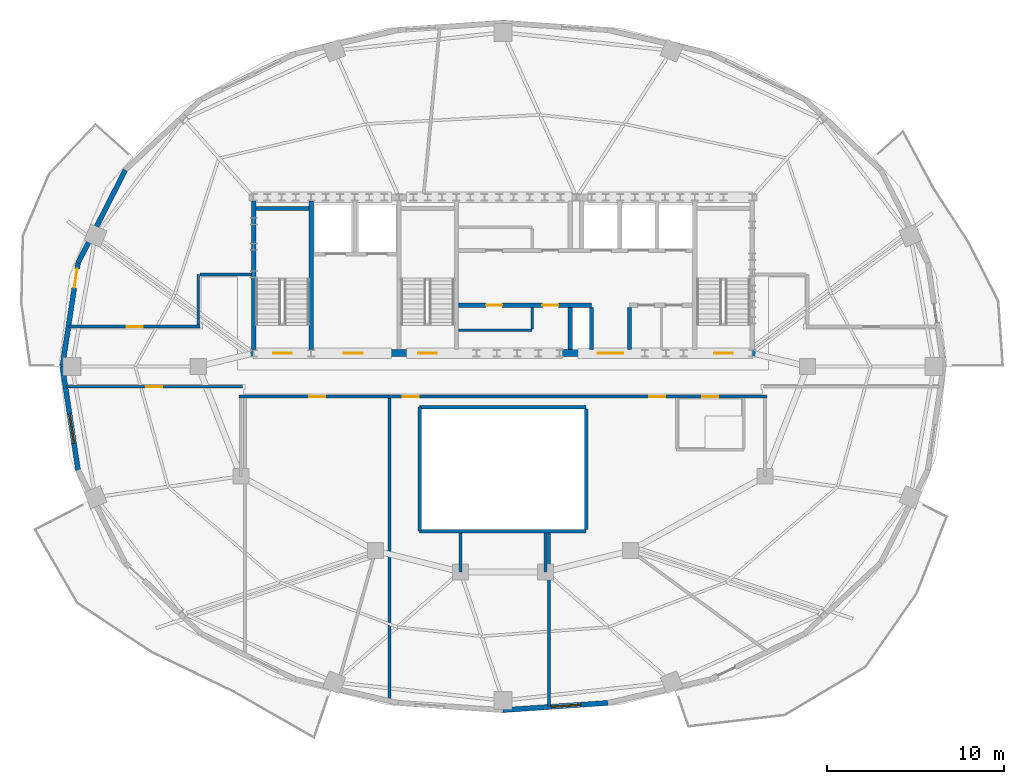
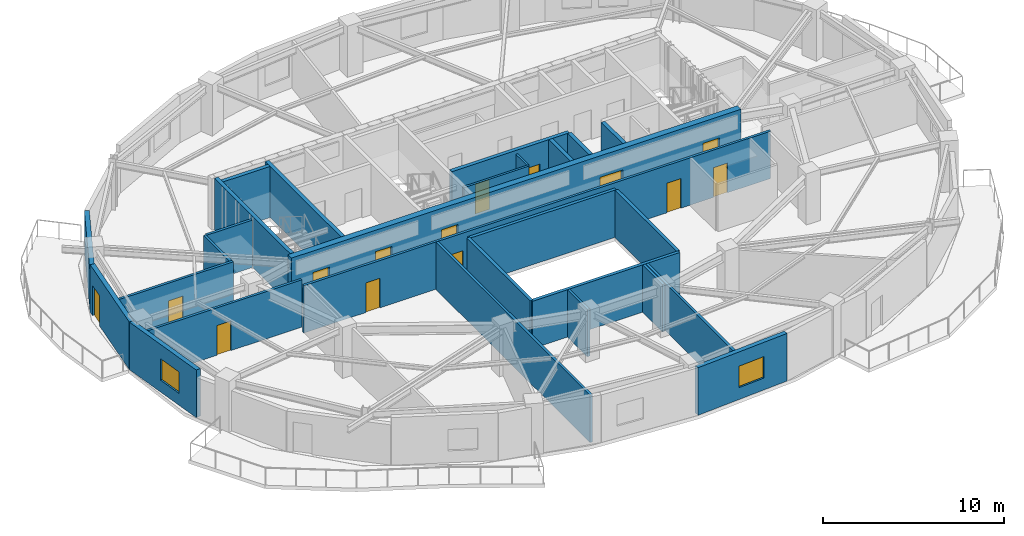
# One storey, part 4 of 10: 27 walls, 14 doors, 2 windows, 16 openings.
"""IFC4 building model written with IfcOpenShell, lengths in metres."""

from ifc_helpers import new_model, si_unit, direction, frame, frame_2d, origin, place, context, subcontext, project, spatial, rectangle, extrude, material, layer, layer_set, type_object, element, fill, save


model = new_model("IFC4")

# Units and contexts
model_context = context("Model", 3, precision=1e-05, world=origin(), true_north=direction((0.0, 1.0)))
body_context = subcontext(model_context, "Body", "Model", "MODEL_VIEW")
ifc_project = project(units=[si_unit("LENGTHUNIT", "METRE"), si_unit("AREAUNIT", "SQUARE_METRE"), si_unit("VOLUMEUNIT", "CUBIC_METRE"), si_unit("PLANEANGLEUNIT", "RADIAN"), si_unit("MASSUNIT", "GRAM", prefix="KILO")], contexts=[model_context])

# Site, building, storey
site_placement = place(None, origin())
site = spatial("IfcSite", under=ifc_project, at=site_placement, CompositionType="ELEMENT")
building_placement = place(site_placement, origin())
building = spatial("IfcBuilding", under=site, at=building_placement, Name="Haldorwick Loom Tower", CompositionType="ELEMENT")
storey_placement = place(building_placement, frame((0.0, 0.0, 262.64990234375)))
storey = spatial("IfcBuildingStorey", under=building, at=storey_placement, Name="L71", CompositionType="ELEMENT", Elevation=262.64990234375)

# Wall
ifc_material_1 = material(Name="Pressed Clay Face Brick and Insulated Masonry Backup Assembly", Category="masonry")
ifc_layer_1 = layer(ifc_material_1, 0.280029296875, Name="Pressed Clay Face Brick and Insulated Masonry Backup Assembly", Category="masonry")
ifc_layer_set_1 = layer_set([ifc_layer_1], Name="Pressed Clay Face Brick and Insulated Masonry Backup Assembly")
wall_type_1 = type_object("IfcWallType", Name="ARC-WL-EXT280", PredefinedType="STANDARD", material=ifc_layer_set_1)
wall_1_placement = place(storey_placement, frame((14.677490234375, 37.08984375, 0.0), z_axis=(0.0, 0.0, 1.0), x_axis=(-0.453100705059, -0.89145933787, 0.0)))
element("IfcWall", 1, at=wall_1_placement, inside=storey, type_object=wall_type_1, Name="L71 Brick Pier and Spandrel Wall 11", PredefinedType="STANDARD", context=body_context, shape_type="SweptSolid", body=[
    extrude(rectangle(XDim=5.879150390625, YDim=0.280029296875, at=frame_2d((2.939453125, 0.0))), origin(), (0.0, 0.0, 1.0), 2.718994140625),
])

# Wall, opening, door
wall_2_placement = place(storey_placement, frame((12.013671875, 31.848876953125, 0.0), z_axis=(0.0, 0.0, 1.0), x_axis=(-0.150497234153, -0.988610430105, 0.0)))
wall_2 = element("IfcWall", 2, at=wall_2_placement, inside=storey, type_object=wall_type_1, Name="L71 Brick Pier and Spandrel Wall 12", PredefinedType="STANDARD", context=body_context, shape_type="SweptSolid", body=[
    extrude(rectangle(XDim=5.916259765625, YDim=0.280029296875, at=frame_2d((2.9580078125, 0.0))), origin(), (0.0, 0.0, 1.0), 3.210205078125),
])
opening_1_placement = place(wall_2_placement, frame((0.340087890625, 0.0, 0.0)))
opening_1 = element("IfcOpeningElement", 3, at=opening_1_placement, cuts=wall_2, Name="Opening D-BL11", PredefinedType="OPENING", context=body_context, shape_type="SweptSolid", body=[
    extrude(rectangle(XDim=1.080078125, YDim=2.0400390625, at=frame_2d((0.5400390625, 1.02001953125))), frame((0.0, 0.14990234375, 0.0), z_axis=(0.0, -1.0, 0.0), x_axis=(1.0, 0.0, 0.0)), (0.0, 0.0, 1.0), 0.300048828125),
])
ifc_material_2 = material(Name="Thermally Broken Anodized Aluminium Curtain Wall Framing", Category="aluminium")
door_type_1 = type_object("IfcDoorType", Name="ARC-DR-BAL110", OperationType="NOTDEFINED", PredefinedType="DOOR", material=ifc_material_2)
door_1_placement = place(opening_1_placement, origin())
door_1 = element("IfcDoor", 4, at=door_1_placement, inside=storey, type_object=door_type_1, Name="L71 Outdoor Terrace Door SLB-L71-BAL_WNW", OperationType="SINGLE_SWING_RIGHT", OverallHeight=2.0400390625, OverallWidth=1.080078125, PredefinedType="DOOR", context=body_context, shape_type="SweptSolid", body=[
    extrude(rectangle(XDim=1.080078125, YDim=2.0400390625, at=frame_2d((0.5400390625, 1.02001953125))), frame((0.0, 0.02490234375, 0.0), z_axis=(0.0, -1.0, 0.0), x_axis=(1.0, 0.0, 0.0)), (0.0, 0.0, 1.0), 0.050048828125),
])
fill(opening_1, door_1)

# Wall, opening, window
wall_3_placement = place(storey_placement, frame((11.123291015625, 26.0, 0.0), z_axis=(0.0, 0.0, 1.0), x_axis=(0.150497234153, -0.988610430105, 0.0)))
wall_3 = element("IfcWall", 5, at=wall_3_placement, inside=storey, type_object=wall_type_1, Name="L71 Brick Pier and Spandrel Wall 13", PredefinedType="STANDARD", context=body_context, shape_type="SweptSolid", body=[
    extrude(rectangle(XDim=5.916259765625, YDim=0.280029296875, at=frame_2d((2.9580078125, 0.0))), origin(), (0.0, 0.0, 1.0), 3.210205078125),
])
opening_2_placement = place(wall_3_placement, frame((2.73095703125, 0.0, 0.800048828125)))
opening_2 = element("IfcOpeningElement", 6, at=opening_2_placement, cuts=wall_3, Name="Opening W-01B", PredefinedType="OPENING", context=body_context, shape_type="SweptSolid", body=[
    extrude(rectangle(XDim=1.64990234375, YDim=1.449951171875, at=frame_2d((0.824951171875, 0.72509765625))), frame((0.0, 0.14990234375, 0.0), z_axis=(0.0, -1.0, 0.0), x_axis=(1.0, 0.0, 0.0)), (0.0, 0.0, 1.0), 0.300048828125),
])
ifc_material_3 = material(Name="Triple-Glazed Low-E Argon Insulated Glazing Unit", Category="glass")
window_type = type_object("IfcWindowType", Name="ARC-WIN-W165", PartitioningType="SINGLE_PANEL", PredefinedType="WINDOW", material=ifc_material_3)
window_1_placement = place(opening_2_placement, origin())
window_1 = element("IfcWindow", 7, at=window_1_placement, inside=storey, type_object=window_type, Name="L71 Deep-Set Zone 7A Window 13", OverallHeight=1.449951171875, OverallWidth=1.64990234375, PartitioningType="SINGLE_PANEL", PredefinedType="WINDOW", context=body_context, shape_type="SweptSolid", body=[
    extrude(rectangle(XDim=1.64990234375, YDim=1.449951171875, at=frame_2d((0.824951171875, 0.72509765625))), frame((0.0, 0.030029296875, 0.0), z_axis=(0.0, -1.0, 0.0), x_axis=(1.0, 0.0, 0.0)), (0.0, 0.0, 1.0), 0.06005859375),
])
fill(opening_2, window_1)

wall_4_placement = place(storey_placement, frame((36.0, 6.60009765625, 0.0), z_axis=(0.0, 0.0, 1.0), x_axis=(0.997656066566, 0.068427865986, 0.0)))
wall_4 = element("IfcWall", 8, at=wall_4_placement, inside=storey, type_object=wall_type_1, Name="L71 Brick Pier and Spandrel Wall 19", PredefinedType="STANDARD", context=body_context, shape_type="SweptSolid", body=[
    extrude(rectangle(XDim=5.933349609375, YDim=0.280029296875, at=frame_2d((2.966796875, 0.0))), origin(), (0.0, 0.0, 1.0), 3.210205078125),
])
opening_3_placement = place(wall_4_placement, frame((2.7421875, 0.0, 0.800048828125)))
opening_3 = element("IfcOpeningElement", 9, at=opening_3_placement, cuts=wall_4, Name="Opening W-01B", PredefinedType="OPENING", context=body_context, shape_type="SweptSolid", body=[
    extrude(rectangle(XDim=1.64990234375, YDim=1.449951171875, at=frame_2d((0.824951171875, 0.72509765625))), frame((0.0, 0.14990234375, 0.0), z_axis=(0.0, -1.0, 0.0), x_axis=(1.0, 0.0, 0.0)), (0.0, 0.0, 1.0), 0.300048828125),
])
window_2_placement = place(opening_3_placement, origin())
window_2 = element("IfcWindow", 10, at=window_2_placement, inside=storey, type_object=window_type, Name="L71 Deep-Set Zone 7A Window 19", OverallHeight=1.449951171875, OverallWidth=1.64990234375, PartitioningType="SINGLE_PANEL", PredefinedType="WINDOW", context=body_context, shape_type="SweptSolid", body=[
    extrude(rectangle(XDim=1.64990234375, YDim=1.449951171875, at=frame_2d((0.824951171875, 0.72509765625))), frame((0.0, 0.030029296875, 0.0), z_axis=(0.0, -1.0, 0.0), x_axis=(1.0, 0.0, 0.0)), (0.0, 0.0, 1.0), 0.06005859375),
])
fill(opening_3, window_2)

# Wall, openings, doors
ifc_material_4 = material(Name="Fire-Rated Type X Gypsum Stud Assembly EI 60")
ifc_layer_2 = layer(ifc_material_4, 0.159912109375, Name="Fire-Rated Type X Gypsum Stud Assembly EI 60")
ifc_layer_set_2 = layer_set([ifc_layer_2], Name="Fire-Rated Type X Gypsum Stud Assembly EI 60")
wall_type_2 = type_object("IfcWallType", Name="ARC-WL-FIRE160", PredefinedType="PARTITIONING", material=ifc_layer_set_2)
wall_5_placement = place(storey_placement, frame((21.10009765625, 24.300048828125, 0.0), z_axis=(0.0, 0.0, 1.0), x_axis=(1.0, 0.0, 0.0)))
wall_5 = element("IfcWall", 11, at=wall_5_placement, inside=storey, type_object=wall_type_2, Name="L71 Residential Fire Partition L71-CR-SP", PredefinedType="PARTITIONING", context=body_context, shape_type="SweptSolid", body=[
    extrude(rectangle(XDim=29.7998046875, YDim=0.159912109375, at=frame_2d((14.89990234375, 0.0))), origin(), (0.0, 0.0, 1.0), 3.195068359375),
])
opening_4_placement = place(wall_5_placement, frame((23.169189453125, 0.0, 0.0)))
opening_4 = element("IfcOpeningElement", 12, at=opening_4_placement, cuts=wall_5, Name="Opening D-FD60A", PredefinedType="OPENING", context=body_context, shape_type="SweptSolid", body=[
    extrude(rectangle(XDim=0.89990234375, YDim=2.0, at=frame_2d((0.449951171875, 1.0))), frame((0.0, 0.08984375, 0.0), z_axis=(0.0, -1.0, 0.0), x_axis=(1.0, 0.0, 0.0)), (0.0, 0.0, 1.0), 0.179931640625),
])
opening_5_placement = place(wall_5_placement, frame((9.248779296875, 0.0, 0.0)))
opening_5 = element("IfcOpeningElement", 13, at=opening_5_placement, cuts=wall_5, Name="Opening D-FD60A", PredefinedType="OPENING", context=body_context, shape_type="SweptSolid", body=[
    extrude(rectangle(XDim=0.89990234375, YDim=2.0, at=frame_2d((0.449951171875, 1.0))), frame((0.0, 0.08984375, 0.0), z_axis=(0.0, -1.0, 0.0), x_axis=(1.0, 0.0, 0.0)), (0.0, 0.0, 1.0), 0.179931640625),
])
opening_6_placement = place(wall_5_placement, frame((3.96484375, 0.0, 0.0)))
opening_6 = element("IfcOpeningElement", 14, at=opening_6_placement, cuts=wall_5, Name="Opening D-FD60A", PredefinedType="OPENING", context=body_context, shape_type="SweptSolid", body=[
    extrude(rectangle(XDim=0.89990234375, YDim=2.0, at=frame_2d((0.449951171875, 1.0))), frame((0.0, 0.08984375, 0.0), z_axis=(0.0, -1.0, 0.0), x_axis=(1.0, 0.0, 0.0)), (0.0, 0.0, 1.0), 0.179931640625),
])
opening_7_placement = place(wall_5_placement, frame((26.1494140625, 0.0, 0.0)))
opening_7 = element("IfcOpeningElement", 15, at=opening_7_placement, cuts=wall_5, Name="Opening D-FD60A", PredefinedType="OPENING", context=body_context, shape_type="SweptSolid", body=[
    extrude(rectangle(XDim=0.89990234375, YDim=2.0, at=frame_2d((0.449951171875, 1.0))), frame((0.0, 0.08984375, 0.0), z_axis=(0.0, -1.0, 0.0), x_axis=(1.0, 0.0, 0.0)), (0.0, 0.0, 1.0), 0.179931640625),
])
ifc_material_5 = material(Name="Hollow Steel Fire Door Assembly", Category="steel")
door_type_2 = type_object("IfcDoorType", Name="ARC-DR-FD60-90", OperationType="NOTDEFINED", PredefinedType="DOOR", material=ifc_material_5)
door_2_placement = place(opening_4_placement, origin())
door_2 = element("IfcDoor", 16, at=door_2_placement, inside=storey, type_object=door_type_2, Name="L71 L71 Central Residential Corridor to Community Library Hall 2 Door", OperationType="SINGLE_SWING_LEFT", OverallHeight=2.0, OverallWidth=0.89990234375, PredefinedType="DOOR", context=body_context, shape_type="SweptSolid", body=[
    extrude(rectangle(XDim=0.89990234375, YDim=2.0, at=frame_2d((0.449951171875, 1.0))), frame((0.0, 0.02490234375, 0.0), z_axis=(0.0, -1.0, 0.0), x_axis=(1.0, 0.0, 0.0)), (0.0, 0.0, 1.0), 0.050048828125),
])
fill(opening_4, door_2)
door_3_placement = place(opening_5_placement, origin())
door_3 = element("IfcDoor", 17, at=door_3_placement, inside=storey, type_object=door_type_2, Name="L71 L71 Central Residential Corridor to Community Library Hall 1 Door", OperationType="SINGLE_SWING_LEFT", OverallHeight=2.0, OverallWidth=0.89990234375, PredefinedType="DOOR", context=body_context, shape_type="SweptSolid", body=[
    extrude(rectangle(XDim=0.89990234375, YDim=2.0, at=frame_2d((0.449951171875, 1.0))), frame((0.0, 0.02490234375, 0.0), z_axis=(0.0, -1.0, 0.0), x_axis=(1.0, 0.0, 0.0)), (0.0, 0.0, 1.0), 0.050048828125),
])
fill(opening_5, door_3)
door_4_placement = place(opening_6_placement, origin())
door_4 = element("IfcDoor", 18, at=door_4_placement, inside=storey, type_object=door_type_2, Name="L71 L71 Central Residential Corridor to Community Library Hall 2 Door", OperationType="SINGLE_SWING_RIGHT", OverallHeight=2.0, OverallWidth=0.89990234375, PredefinedType="DOOR", context=body_context, shape_type="SweptSolid", body=[
    extrude(rectangle(XDim=0.89990234375, YDim=2.0, at=frame_2d((0.449951171875, 1.0))), frame((0.0, 0.02490234375, 0.0), z_axis=(0.0, -1.0, 0.0), x_axis=(1.0, 0.0, 0.0)), (0.0, 0.0, 1.0), 0.050048828125),
])
fill(opening_6, door_4)
door_5_placement = place(opening_7_placement, origin())
door_5 = element("IfcDoor", 19, at=door_5_placement, inside=storey, type_object=door_type_2, Name="L71 L71 Central Residential Corridor to Common Accessible WC Door", OperationType="SINGLE_SWING_LEFT", OverallHeight=2.0, OverallWidth=0.89990234375, PredefinedType="DOOR", context=body_context, shape_type="SweptSolid", body=[
    extrude(rectangle(XDim=0.89990234375, YDim=2.0, at=frame_2d((0.449951171875, 1.0))), frame((0.0, 0.02490234375, 0.0), z_axis=(0.0, -1.0, 0.0), x_axis=(1.0, 0.0, 0.0)), (0.0, 0.0, 1.0), 0.050048828125),
])
fill(opening_7, door_5)

# Wall, opening, door
wall_6_placement = place(storey_placement, frame((11.34375, 24.85009765625, 0.0), z_axis=(0.0, 0.0, 1.0), x_axis=(1.0, 0.0, 0.0)))
wall_6 = element("IfcWall", 20, at=wall_6_placement, inside=storey, type_object=wall_type_2, Name="L71 Residential Fire Partition L71-CR-SPW", PredefinedType="PARTITIONING", context=body_context, shape_type="SweptSolid", body=[
    extrude(rectangle(XDim=9.956298828125, YDim=0.159912109375, at=frame_2d((4.97802734375, 0.0))), origin(), (0.0, 0.0, 1.0), 3.195068359375),
])
opening_8_placement = place(wall_6_placement, frame((4.528076171875, 0.0, 0.0)))
opening_8 = element("IfcOpeningElement", 21, at=opening_8_placement, cuts=wall_6, Name="Opening D-FD60A", PredefinedType="OPENING", context=body_context, shape_type="SweptSolid", body=[
    extrude(rectangle(XDim=0.89990234375, YDim=2.0, at=frame_2d((0.449951171875, 1.0))), frame((0.0, 0.08984375, 0.0), z_axis=(0.0, -1.0, 0.0), x_axis=(1.0, 0.0, 0.0)), (0.0, 0.0, 1.0), 0.179931640625),
])
door_6_placement = place(opening_8_placement, origin())
door_6 = element("IfcDoor", 22, at=door_6_placement, inside=storey, type_object=door_type_2, Name="L71 L71 Central Residential Corridor to Community Library Hall 3 Door", OperationType="SINGLE_SWING_RIGHT", OverallHeight=2.0, OverallWidth=0.89990234375, PredefinedType="DOOR", context=body_context, shape_type="SweptSolid", body=[
    extrude(rectangle(XDim=0.89990234375, YDim=2.0, at=frame_2d((0.449951171875, 1.0))), frame((0.0, 0.02490234375, 0.0), z_axis=(0.0, -1.0, 0.0), x_axis=(1.0, 0.0, 0.0)), (0.0, 0.0, 1.0), 0.050048828125),
])
fill(opening_8, door_6)

wall_7_placement = place(storey_placement, frame((11.51123046875, 28.25, 0.0), z_axis=(0.0, 0.0, 1.0), x_axis=(1.0, 0.0, 0.0)))
wall_7 = element("IfcWall", 23, at=wall_7_placement, inside=storey, type_object=wall_type_2, Name="L71 Residential Fire Partition L71-CR-NWL", PredefinedType="PARTITIONING", context=body_context, shape_type="SweptSolid", body=[
    extrude(rectangle(XDim=7.388671875, YDim=0.159912109375, at=frame_2d((3.6943359375, 0.0))), origin(), (0.0, 0.0, 1.0), 3.195068359375),
])
opening_9_placement = place(wall_7_placement, frame((3.244384765625, 0.0, 0.0)))
opening_9 = element("IfcOpeningElement", 24, at=opening_9_placement, cuts=wall_7, Name="Opening D-FD60A", PredefinedType="OPENING", context=body_context, shape_type="SweptSolid", body=[
    extrude(rectangle(XDim=0.89990234375, YDim=2.0, at=frame_2d((0.449951171875, 1.0))), frame((0.0, 0.08984375, 0.0), z_axis=(0.0, -1.0, 0.0), x_axis=(1.0, 0.0, 0.0)), (0.0, 0.0, 1.0), 0.179931640625),
])
door_7_placement = place(opening_9_placement, frame((0.89990234375, 0.0, 0.0), z_axis=(0.0, 0.0, 1.0), x_axis=(-1.0, 0.0, 0.0)))
door_7 = element("IfcDoor", 25, at=door_7_placement, inside=storey, type_object=door_type_2, Name="L71 Community Library Hall 3 to L71 Central Residential Corridor Door", OperationType="SINGLE_SWING_LEFT", OverallHeight=2.0, OverallWidth=0.89990234375, PredefinedType="DOOR", context=body_context, shape_type="SweptSolid", body=[
    extrude(rectangle(XDim=0.89990234375, YDim=2.0, at=frame_2d((0.449951171875, 1.0))), frame((0.0, 0.02490234375, 0.0), z_axis=(0.0, -1.0, 0.0), x_axis=(1.0, 0.0, 0.0)), (0.0, 0.0, 1.0), 0.050048828125),
])
fill(opening_9, door_7)

# Walls
wall_8_placement = place(storey_placement, frame((18.800048828125, 28.3330078125, 0.0), z_axis=(0.0, 0.0, 1.0), x_axis=(0.0, 1.0, 0.0)))
element("IfcWall", 26, at=wall_8_placement, inside=storey, type_object=wall_type_2, Name="L71 Residential Fire Partition L71-CR-W0", PredefinedType="PARTITIONING", context=body_context, shape_type="SweptSolid", body=[
    extrude(rectangle(XDim=2.866943359375, YDim=0.159912109375, at=frame_2d((1.43359375, 0.0))), origin(), (0.0, 0.0, 1.0), 3.195068359375),
])
wall_9_placement = place(storey_placement, frame((18.883056640625, 31.199951171875, 0.0), z_axis=(0.0, 0.0, 1.0), x_axis=(1.0, 0.0, 0.0)))
element("IfcWall", 27, at=wall_9_placement, inside=storey, type_object=wall_type_2, Name="L71 Residential Fire Partition L71-CR-WNJ", PredefinedType="PARTITIONING", context=body_context, shape_type="SweptSolid", body=[
    extrude(rectangle(XDim=2.923828125, YDim=0.159912109375, at=frame_2d((1.4619140625, 0.0))), origin(), (0.0, 0.0, 1.0), 3.195068359375),
])
wall_10_placement = place(storey_placement, frame((29.60009765625, 7.162841796875, 0.0), z_axis=(0.0, 0.0, 1.0), x_axis=(0.0, 1.0, 0.0)))
element("IfcWall", 28, at=wall_10_placement, inside=storey, type_object=wall_type_2, Name="L71 Residential Fire Partition L71-SBP-0", PredefinedType="PARTITIONING", context=body_context, shape_type="SweptSolid", body=[
    extrude(rectangle(XDim=17.05419921875, YDim=0.159912109375, at=frame_2d((8.527099609375, 0.0))), origin(), (0.0, 0.0, 1.0), 3.195068359375),
])
wall_11_placement = place(storey_placement, frame((38.60009765625, 6.823486328125, 0.0), z_axis=(0.0, 0.0, 1.0), x_axis=(0.0, 1.0, 0.0)))
element("IfcWall", 29, at=wall_11_placement, inside=storey, type_object=wall_type_2, Name="L71 Residential Fire Partition L71-SBP-1", PredefinedType="PARTITIONING", context=body_context, shape_type="SweptSolid", body=[
    extrude(rectangle(XDim=9.7734375, YDim=0.159912109375, at=frame_2d((4.88671875, 0.0))), origin(), (0.0, 0.0, 1.0), 3.195068359375),
])
for number, where, z_axis, x_axis, name in (
    (30, (38.39990234375, 16.596923828125, 0.0), (0.0, 0.0, 1.0), (0.0, -1.0, 0.0), "L71 Residential Fire Partition L71-ICA-04"),
    (31, (33.60009765625, 16.596923828125, 0.0), (0.0, 0.0, 1.0), (0.0, -1.0, 0.0), "L71 Residential Fire Partition L71-ICA-05"),
):
    element("IfcWall", number, at=place(storey_placement, frame(where, z_axis=z_axis, x_axis=x_axis)), inside=storey, type_object=wall_type_2, Name=name, PredefinedType="PARTITIONING", context=body_context, shape_type="SweptSolid", body=[
        extrude(rectangle(XDim=2.197021484375, YDim=0.159912109375, at=frame_2d((1.0986328125, 0.0))), origin(), (0.0, 0.0, 1.0), 3.195068359375),
    ])
ifc_material_6 = material(Name="Fire-Rated Type X Gypsum Stud Assembly EI 120")
ifc_layer_3 = layer(ifc_material_6, 0.199951171875, Name="Fire-Rated Type X Gypsum Stud Assembly EI 120")
ifc_layer_set_3 = layer_set([ifc_layer_3], Name="Fire-Rated Type X Gypsum Stud Assembly EI 120")
wall_type_3 = type_object("IfcWallType", Name="ARC-WL-FIRE200", PredefinedType="PARTITIONING", material=ifc_layer_set_3)
for number, where, z_axis, x_axis, name in (
    (32, (31.300048828125, 23.699951171875, 0.0), (0.0, 0.0, 1.0), (1.0, 0.0, 0.0), "L71 Atrium Fire Enclosure Wall N"),
    (33, (40.699951171875, 16.699951171875, 0.0), (0.0, 0.0, 1.0), (-1.0, 0.0, 0.0), "L71 Atrium Fire Enclosure Wall S"),
):
    element("IfcWall", number, at=place(storey_placement, frame(where, z_axis=z_axis, x_axis=x_axis)), inside=storey, type_object=wall_type_3, Name=name, PredefinedType="PARTITIONING", context=body_context, shape_type="SweptSolid", body=[
        extrude(rectangle(XDim=9.39990234375, YDim=0.199951171875, at=frame_2d((4.699951171875, 0.0))), origin(), (0.0, 0.0, 1.0), 3.195068359375),
    ])
wall_12_placement = place(storey_placement, frame((31.300048828125, 16.699951171875, 0.0), z_axis=(0.0, 0.0, 1.0), x_axis=(0.0, 1.0, 0.0)))
element("IfcWall", 34, at=wall_12_placement, inside=storey, type_object=wall_type_3, Name="L71 Atrium Fire Enclosure Wall W", PredefinedType="PARTITIONING", context=body_context, shape_type="SweptSolid", body=[
    extrude(rectangle(XDim=7.0, YDim=0.199951171875, at=frame_2d((3.5, 0.0))), origin(), (0.0, 0.0, 1.0), 3.195068359375),
])
wall_13_placement = place(storey_placement, frame((40.699951171875, 23.596923828125, 0.0), z_axis=(0.0, 0.0, 1.0), x_axis=(0.0, -1.0, 0.0)))
element("IfcWall", 35, at=wall_13_placement, inside=storey, type_object=wall_type_3, Name="L71 Atrium Fire Enclosure Wall E", PredefinedType="PARTITIONING", context=body_context, shape_type="SweptSolid", body=[
    extrude(rectangle(XDim=6.7939453125, YDim=0.199951171875, at=frame_2d((3.39697265625, 0.0))), origin(), (0.0, 0.0, 1.0), 3.195068359375),
])
ifc_layer_4 = layer(ifc_material_4, 0.139892578125, Name="Fire-Rated Type X Gypsum Stud Assembly EI 60")
ifc_layer_set_4 = layer_set([ifc_layer_4], Name="Fire-Rated Type X Gypsum Stud Assembly EI 60")
wall_type_4 = type_object("IfcWallType", Name="ARC-WL-PART140", PredefinedType="PARTITIONING", material=ifc_layer_set_4)
wall_14_placement = place(storey_placement, frame((33.492919921875, 28.050048828125, 0.0), z_axis=(0.0, 0.0, 1.0), x_axis=(1.0, 0.0, 0.0)))
element("IfcWall", 36, at=wall_14_placement, inside=storey, type_object=wall_type_4, Name="L71 Mid-Bank North Partition", PredefinedType="PARTITIONING", context=body_context, shape_type="SweptSolid", body=[
    extrude(rectangle(XDim=4.156982421875, YDim=0.139892578125, at=frame_2d((2.07861328125, 0.0))), origin(), (0.0, 0.0, 1.0), 3.195068359375),
])
wall_15_placement = place(storey_placement, frame((37.64990234375, 28.123046875, 0.0), z_axis=(0.0, 0.0, 1.0), x_axis=(0.0, 1.0, 0.0)))
element("IfcWall", 37, at=wall_15_placement, inside=storey, type_object=wall_type_4, Name="L71 Mid-Bank East Partition", PredefinedType="PARTITIONING", context=body_context, shape_type="SweptSolid", body=[
    extrude(rectangle(XDim=1.203857421875, YDim=0.139892578125, at=frame_2d((0.60205078125, 0.0))), origin(), (0.0, 0.0, 1.0), 3.195068359375),
])

# Wall, openings, doors
ifc_material_7 = material(Name="Concrete C50 (50 MPa)", Category="concrete")
ifc_layer_5 = layer(ifc_material_7, 0.39990234375, Name="Concrete C50 (50 MPa)", Category="concrete")
ifc_layer_set_5 = layer_set([ifc_layer_5], Name="Concrete C50 (50 MPa)")
wall_type_5 = type_object("IfcWallType", Name="STR-WL-CORE400", PredefinedType="SHEAR", material=ifc_layer_set_5)
wall_16_placement = place(storey_placement, frame((21.64990234375, 26.75, 0.0), z_axis=(0.0, 0.0, 1.0), x_axis=(1.0, 0.0, 0.0)))
wall_16 = element("IfcWall", 38, at=wall_16_placement, inside=storey, type_object=wall_type_5, Name="L71 Core Shear Wall S", PredefinedType="SHEAR", context=body_context, shape_type="SweptSolid", body=[
    extrude(rectangle(XDim=28.7001953125, YDim=0.39990234375, at=frame_2d((14.35009765625, 0.0))), origin(), (0.0, 0.0, 1.0), 3.4501953125),
])
opening_10_placement = place(wall_16_placement, frame((1.375, 0.0, 0.0)))
opening_10 = element("IfcOpeningElement", 39, at=opening_10_placement, cuts=wall_16, Name="Opening D-FD60", PredefinedType="OPENING", context=body_context, shape_type="SweptSolid", body=[
    extrude(rectangle(XDim=1.050048828125, YDim=2.0, at=frame_2d((0.52490234375, 1.0))), frame((0.0, 0.2099609375, 0.0), z_axis=(0.0, -1.0, 0.0), x_axis=(1.0, 0.0, 0.0)), (0.0, 0.0, 1.0), 0.419921875),
])
opening_11_placement = place(wall_16_placement, frame((5.375, 0.0, 0.0)))
opening_11 = element("IfcOpeningElement", 40, at=opening_11_placement, cuts=wall_16, Name="Opening D-FD60", PredefinedType="OPENING", context=body_context, shape_type="SweptSolid", body=[
    extrude(rectangle(XDim=1.050048828125, YDim=2.0, at=frame_2d((0.52490234375, 1.0))), frame((0.0, 0.2099609375, 0.0), z_axis=(0.0, -1.0, 0.0), x_axis=(1.0, 0.0, 0.0)), (0.0, 0.0, 1.0), 0.419921875),
])
opening_12_placement = place(wall_16_placement, frame((9.574951171875, 0.0, 0.0)))
opening_12 = element("IfcOpeningElement", 41, at=opening_12_placement, cuts=wall_16, Name="Opening D-FD60", PredefinedType="OPENING", context=body_context, shape_type="SweptSolid", body=[
    extrude(rectangle(XDim=1.050048828125, YDim=2.0, at=frame_2d((0.52490234375, 1.0))), frame((0.0, 0.2099609375, 0.0), z_axis=(0.0, -1.0, 0.0), x_axis=(1.0, 0.0, 0.0)), (0.0, 0.0, 1.0), 0.419921875),
])
opening_13_placement = place(wall_16_placement, frame((19.705078125, 0.0, 0.0)))
opening_13 = element("IfcOpeningElement", 42, at=opening_13_placement, cuts=wall_16, Name="Opening D-LB15", PredefinedType="OPENING", context=body_context, shape_type="SweptSolid", body=[
    extrude(rectangle(XDim=1.449951171875, YDim=2.0, at=frame_2d((0.72509765625, 1.0))), frame((0.0, 0.2099609375, 0.0), z_axis=(0.0, -1.0, 0.0), x_axis=(1.0, 0.0, 0.0)), (0.0, 0.0, 1.0), 0.419921875),
])
opening_14_placement = place(wall_16_placement, frame((26.27490234375, 0.0, 0.0)))
opening_14 = element("IfcOpeningElement", 43, at=opening_14_placement, cuts=wall_16, Name="Opening D-FD60", PredefinedType="OPENING", context=body_context, shape_type="SweptSolid", body=[
    extrude(rectangle(XDim=1.050048828125, YDim=2.0, at=frame_2d((0.52490234375, 1.0))), frame((0.0, 0.2099609375, 0.0), z_axis=(0.0, -1.0, 0.0), x_axis=(1.0, 0.0, 0.0)), (0.0, 0.0, 1.0), 0.419921875),
])
door_type_3 = type_object("IfcDoorType", Name="ARC-DR-FD60", OperationType="NOTDEFINED", PredefinedType="DOOR", material=ifc_material_5)
door_8_placement = place(opening_10_placement, origin())
door_8 = element("IfcDoor", 44, at=door_8_placement, inside=storey, type_object=door_type_3, Name="L71 Exit Stair ST-01 Fire Door", OperationType="SINGLE_SWING_LEFT", OverallHeight=2.0, OverallWidth=1.050048828125, PredefinedType="DOOR", context=body_context, shape_type="SweptSolid", body=[
    extrude(rectangle(XDim=1.050048828125, YDim=2.0, at=frame_2d((0.52490234375, 1.0))), frame((0.0, 0.02490234375, 0.0), z_axis=(0.0, -1.0, 0.0), x_axis=(1.0, 0.0, 0.0)), (0.0, 0.0, 1.0), 0.050048828125),
])
fill(opening_10, door_8)
door_9_placement = place(opening_11_placement, origin())
door_9 = element("IfcDoor", 45, at=door_9_placement, inside=storey, type_object=door_type_3, Name="L71 Firefighting Lift Lobby Fire Door", OperationType="SINGLE_SWING_RIGHT", OverallHeight=2.0, OverallWidth=1.050048828125, PredefinedType="DOOR", context=body_context, shape_type="SweptSolid", body=[
    extrude(rectangle(XDim=1.050048828125, YDim=2.0, at=frame_2d((0.52490234375, 1.0))), frame((0.0, 0.02490234375, 0.0), z_axis=(0.0, -1.0, 0.0), x_axis=(1.0, 0.0, 0.0)), (0.0, 0.0, 1.0), 0.050048828125),
])
fill(opening_11, door_9)
door_10_placement = place(opening_12_placement, origin())
door_10 = element("IfcDoor", 46, at=door_10_placement, inside=storey, type_object=door_type_3, Name="L71 Exit Stair ST-03 Fire Door", OperationType="SINGLE_SWING_LEFT", OverallHeight=2.0, OverallWidth=1.050048828125, PredefinedType="DOOR", context=body_context, shape_type="SweptSolid", body=[
    extrude(rectangle(XDim=1.050048828125, YDim=2.0, at=frame_2d((0.52490234375, 1.0))), frame((0.0, 0.02490234375, 0.0), z_axis=(0.0, -1.0, 0.0), x_axis=(1.0, 0.0, 0.0)), (0.0, 0.0, 1.0), 0.050048828125),
])
fill(opening_12, door_10)
door_11_placement = place(opening_14_placement, origin())
door_11 = element("IfcDoor", 47, at=door_11_placement, inside=storey, type_object=door_type_3, Name="L71 Exit Stair ST-02 Fire Door", OperationType="SINGLE_SWING_LEFT", OverallHeight=2.0, OverallWidth=1.050048828125, PredefinedType="DOOR", context=body_context, shape_type="SweptSolid", body=[
    extrude(rectangle(XDim=1.050048828125, YDim=2.0, at=frame_2d((0.52490234375, 1.0))), frame((0.0, 0.02490234375, 0.0), z_axis=(0.0, -1.0, 0.0), x_axis=(1.0, 0.0, 0.0)), (0.0, 0.0, 1.0), 0.050048828125),
])
fill(opening_14, door_11)
ifc_material_8 = material(Name="Thermally Broken Anodized Aluminium and Tempered Glass", Category="aluminium")
door_type_4 = type_object("IfcDoorType", Name="ARC-DR-LOB150", OperationType="NOTDEFINED", PredefinedType="DOOR", material=ifc_material_8)
door_12_placement = place(opening_13_placement, frame((1.449951171875, 0.0, 0.0), z_axis=(0.0, 0.0, 1.0), x_axis=(-1.0, 0.0, 0.0)))
door_12 = element("IfcDoor", 48, at=door_12_placement, inside=storey, type_object=door_type_4, Name="L71 Passenger Lift Lobby Fire Door", OperationType="DOUBLE_DOOR_SINGLE_SWING", OverallHeight=2.0, OverallWidth=1.449951171875, PredefinedType="DOOR", context=body_context, shape_type="SweptSolid", body=[
    extrude(rectangle(XDim=1.449951171875, YDim=2.0, at=frame_2d((0.72509765625, 1.0))), frame((0.0, 0.02490234375, 0.0), z_axis=(0.0, -1.0, 0.0), x_axis=(1.0, 0.0, 0.0)), (0.0, 0.0, 1.0), 0.050048828125),
])
fill(opening_13, door_12)

# Walls
ifc_layer_6 = layer(ifc_material_7, 0.239990234375, Name="Concrete C50 (50 MPa)", Category="concrete")
ifc_layer_set_6 = layer_set([ifc_layer_6], Name="Concrete C50 (50 MPa)")
wall_type_6 = type_object("IfcWallType", Name="STR-WL-SHAFT240", PredefinedType="SHEAR", material=ifc_layer_set_6)
for number, where, z_axis, x_axis, name in (
    (49, (21.929931640625, 35.346923828125, 0.0), (0.0, 0.0, 1.0), (0.0, -1.0, 0.0), "L71 Core Shear Wall W"),
    (50, (25.169921875, 26.952880859375, 0.0), (0.0, 0.0, 1.0), (0.0, 1.0, 0.0), "L71 Core Shear Wall 1"),
):
    element("IfcWall", number, at=place(storey_placement, frame(where, z_axis=z_axis, x_axis=x_axis)), inside=storey, type_object=wall_type_6, Name=name, PredefinedType="SHEAR", context=body_context, shape_type="SweptSolid", body=[
        extrude(rectangle(XDim=8.39404296875, YDim=0.239990234375, at=frame_2d((4.197021484375, 0.0))), origin(), (0.0, 0.0, 1.0), 3.4501953125),
    ])
wall_17_placement = place(storey_placement, frame((22.052978515625, 34.919921875, 0.0), z_axis=(0.0, 0.0, 1.0), x_axis=(1.0, 0.0, 0.0)))
element("IfcWall", 51, at=wall_17_placement, inside=storey, type_object=wall_type_6, Name="L71 Core Shear Wall 1N", PredefinedType="SHEAR", context=body_context, shape_type="SweptSolid", body=[
    extrude(rectangle(XDim=2.994140625, YDim=0.239990234375, at=frame_2d((1.4970703125, 0.0))), origin(), (0.0, 0.0, 1.0), 3.4501953125),
])

# Wall, openings, doors
wall_18_placement = place(storey_placement, frame((33.492919921875, 29.449951171875, 0.0), z_axis=(0.0, 0.0, 1.0), x_axis=(1.0, 0.0, 0.0)))
wall_18 = element("IfcWall", 52, at=wall_18_placement, inside=storey, type_object=wall_type_6, Name="L71 Core Shear Wall LS1", PredefinedType="SHEAR", context=body_context, shape_type="SweptSolid", body=[
    extrude(rectangle(XDim=7.507080078125, YDim=0.239990234375, at=frame_2d((3.75341796875, 0.0))), origin(), (0.0, 0.0, 1.0), 3.4501953125),
])
opening_15_placement = place(wall_18_placement, frame((1.556884765625, 0.0, 0.0)))
opening_15 = element("IfcOpeningElement", 53, at=opening_15_placement, cuts=wall_18, Name="Opening D-FD60A", PredefinedType="OPENING", context=body_context, shape_type="SweptSolid", body=[
    extrude(rectangle(XDim=0.89990234375, YDim=2.0, at=frame_2d((0.449951171875, 1.0))), frame((0.0, 0.1298828125, 0.0), z_axis=(0.0, -1.0, 0.0), x_axis=(1.0, 0.0, 0.0)), (0.0, 0.0, 1.0), 0.260009765625),
])
opening_16_placement = place(wall_18_placement, frame((4.737060546875, 0.0, 0.0)))
opening_16 = element("IfcOpeningElement", 54, at=opening_16_placement, cuts=wall_18, Name="Opening D-FD60A", PredefinedType="OPENING", context=body_context, shape_type="SweptSolid", body=[
    extrude(rectangle(XDim=0.89990234375, YDim=2.0, at=frame_2d((0.449951171875, 1.0))), frame((0.0, 0.1298828125, 0.0), z_axis=(0.0, -1.0, 0.0), x_axis=(1.0, 0.0, 0.0)), (0.0, 0.0, 1.0), 0.260009765625),
])
door_13_placement = place(opening_15_placement, origin())
door_13 = element("IfcDoor", 55, at=door_13_placement, inside=storey, type_object=door_type_2, Name="L71 Sky Storage Door", OperationType="SINGLE_SWING_LEFT", OverallHeight=2.0, OverallWidth=0.89990234375, PredefinedType="DOOR", context=body_context, shape_type="SweptSolid", body=[
    extrude(rectangle(XDim=0.89990234375, YDim=2.0, at=frame_2d((0.449951171875, 1.0))), frame((0.0, 0.02490234375, 0.0), z_axis=(0.0, -1.0, 0.0), x_axis=(1.0, 0.0, 0.0)), (0.0, 0.0, 1.0), 0.050048828125),
])
fill(opening_15, door_13)
door_14_placement = place(opening_16_placement, origin())
door_14 = element("IfcDoor", 56, at=door_14_placement, inside=storey, type_object=door_type_2, Name="L71 Communications Door", OperationType="SINGLE_SWING_RIGHT", OverallHeight=2.0, OverallWidth=0.89990234375, PredefinedType="DOOR", context=body_context, shape_type="SweptSolid", body=[
    extrude(rectangle(XDim=0.89990234375, YDim=2.0, at=frame_2d((0.449951171875, 1.0))), frame((0.0, 0.02490234375, 0.0), z_axis=(0.0, -1.0, 0.0), x_axis=(1.0, 0.0, 0.0)), (0.0, 0.0, 1.0), 0.050048828125),
])
fill(opening_16, door_14)

# Walls
for number, where, z_axis, x_axis, name in (
    (57, (41.0, 26.952880859375, 0.0), (0.0, 0.0, 1.0), (0.0, 1.0, 0.0), "L71 Core Shear Wall THW"),
    (58, (43.14990234375, 26.952880859375, 0.0), (0.0, 0.0, 1.0), (0.0, 1.0, 0.0), "L71 Core Shear Wall THE"),
    (59, (39.800048828125, 26.952880859375, 0.0), (0.0, 0.0, 1.0), (0.0, 1.0, 0.0), "L71 Core Shear Wall MRW"),
):
    element("IfcWall", number, at=place(storey_placement, frame(where, z_axis=z_axis, x_axis=x_axis)), inside=storey, type_object=wall_type_6, Name=name, PredefinedType="SHEAR", context=body_context, shape_type="SweptSolid", body=[
        extrude(rectangle(XDim=2.3740234375, YDim=0.239990234375, at=frame_2d((1.18701171875, 0.0))), origin(), (0.0, 0.0, 1.0), 3.4501953125),
    ])

save(model, "model.ifc")
